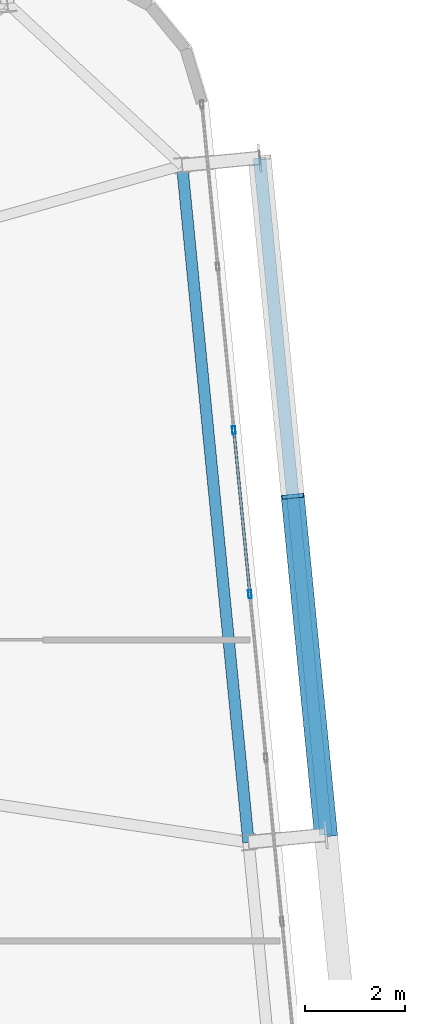
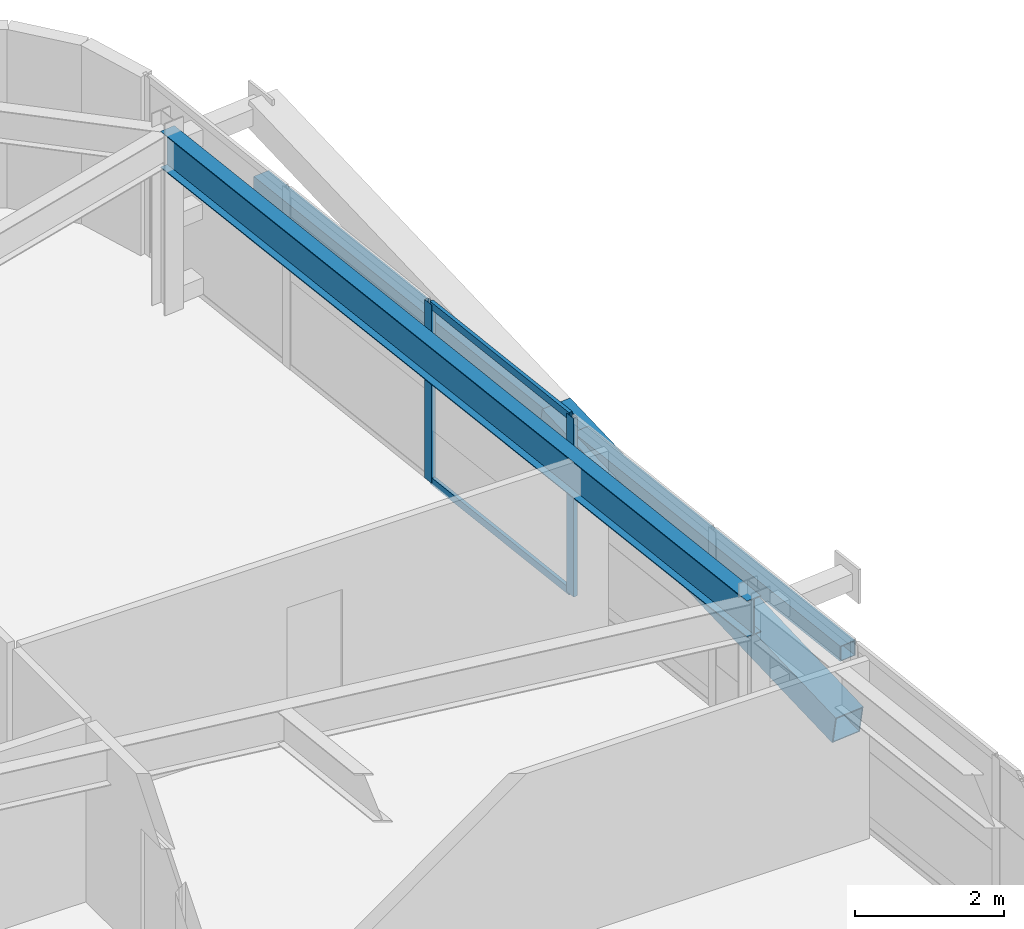
# One storey, part 26 of 51: 6 members, 1 beam, 1 element without a shape of its own.
"""IFC4 building model written with IfcOpenShell, lengths in metres."""

from ifc_helpers import new_model, si_unit, direction, frame, origin, origin_2d, place, context, subcontext, project, spatial, hollow_rectangle, i_section, extrude, source, transform, mapped, material, layer, layer_set, material_profile, profile_set, type_object, element, aggregate, save


model = new_model("IFC4")

# Units and contexts
model_context = context("Model", 3, precision=1e-05, world=origin(), true_north=direction((0.0, 1.0)))
body_context = subcontext(model_context, "Body", "Model", "MODEL_VIEW")
ifc_project = project(units=[si_unit("LENGTHUNIT", "METRE"), si_unit("AREAUNIT", "SQUARE_METRE"), si_unit("VOLUMEUNIT", "CUBIC_METRE"), si_unit("PLANEANGLEUNIT", "RADIAN"), si_unit("MASSUNIT", "GRAM", prefix="KILO")], contexts=[model_context])

# Site, building, storey
site_placement = place(None, origin())
site = spatial("IfcSite", under=ifc_project, at=site_placement, CompositionType="ELEMENT")
building_placement = place(site_placement, origin())
building = spatial("IfcBuilding", under=site, at=building_placement, Name="Taldren Reach Tower", CompositionType="ELEMENT")
storey_placement = place(building_placement, frame((0.0, 0.0, 65.10009765625)))
storey = spatial("IfcBuildingStorey", under=building, at=storey_placement, Name="L19", CompositionType="ELEMENT", Elevation=65.10009765625)

# Beam
ifc_material_1 = material(Name="Steel Gr 350 (350PLUS)", Category="steel")
ifc_material_profile_1 = material_profile(ifc_material_1, i_section(OverallWidth=0.22802734375, OverallDepth=0.60205078125, WebThickness=0.010498046875, FlangeThickness=0.014892578125, at=origin_2d()), Name="610UB101")
ifc_profile_set_1 = profile_set([ifc_material_profile_1], Name="Steel Gr 350 (350PLUS)")
beam_type = type_object("IfcBeamType", Name="BM-UB610B", PredefinedType="BEAM", material=ifc_profile_set_1)
shared_shape_1 = source(origin(), body_context, "Body", "SweptSolid", [
    extrude(i_section(OverallWidth=0.22802734375, OverallDepth=0.60205078125, WebThickness=0.010498046875, FlangeThickness=0.014892578125, at=origin_2d()), origin(), (0.0, 0.0, 1.0), 13.550048828125),
])
beam_placement = place(storey_placement, frame((64.569580078125, 21.968994140625, 2.62890625), z_axis=(-0.097584021339, 0.995227290009, 0.0), x_axis=(-0.995227290009, -0.097584021339, 0.0)))
element("IfcBeam", 1, at=beam_placement, inside=storey, type_object=beam_type, Name="Perimeter gable girder B2 E2-E3 L19", PredefinedType="BEAM", context=body_context, shape_type="MappedRepresentation", body=[
    mapped(shared_shape_1, transform((0.0, 0.0, 0.0), scale=1.0)),
])

# Members
ifc_material_2 = material(Name="Steel Gr 450 (C450L0)", Category="steel")
ifc_material_profile_2 = material_profile(ifc_material_2, hollow_rectangle(XDim=0.4599609375, YDim=0.4599609375, WallThickness=0.01611328125, at=origin_2d()), Name="460x460x16.0SHS")
ifc_profile_set_2 = profile_set([ifc_material_profile_2], Name="Steel Gr 450 (C450L0)")
member_type_1 = type_object("IfcMemberType", Name="MB-EXO457", PredefinedType="BRACE", material=ifc_profile_set_2)
shared_shape_2 = source(origin(), body_context, "Body", "SweptSolid", [
    extrude(hollow_rectangle(XDim=0.4599609375, YDim=0.4599609375, WallThickness=0.01611328125, at=origin_2d()), origin(), (0.0, 0.0, 1.0), 6.883056640625),
])
member_1_placement = place(storey_placement, frame((66.112060546875, 22.1201171875, 0.219970703125), z_axis=(-0.096052059581, 0.979603316657, 0.176497432967), x_axis=(-0.995227290009, -0.097584021339, 0.0)))
element("IfcMember", 2, at=member_1_placement, inside=storey, type_object=member_type_1, Name="Exoskeleton Diagrid Brace B2-E2 L19", PredefinedType="BRACE", context=body_context, shape_type="MappedRepresentation", body=[
    mapped(shared_shape_2, transform((0.0, 0.0, 0.0), scale=1.0)),
])
ifc_material_3 = material(Name="Steel Gr 350 (C350L0)", Category="steel")
ifc_material_profile_3 = material_profile(ifc_material_3, hollow_rectangle(XDim=0.25, YDim=0.25, WallThickness=0.010009765625, at=origin_2d()), Name="250x250x10.0SHS")
ifc_profile_set_3 = profile_set([ifc_material_profile_3], Name="Steel Gr 350 (C350L0)")
member_type_2 = type_object("IfcMemberType", Name="MB-POST250", PredefinedType="POST", material=ifc_profile_set_3)
shared_shape_3 = source(origin(), body_context, "Body", "SweptSolid", [
    extrude(hollow_rectangle(XDim=0.25, YDim=0.25, WallThickness=0.010009765625, at=origin_2d()), origin(), (0.0, 0.0, 1.0), 13.550048828125),
])
member_2_placement = place(storey_placement, frame((66.112060546875, 22.1201171875, 1.434814453125), z_axis=(-0.097584021339, 0.995227290009, 0.0), x_axis=(-0.995227290009, -0.097584021339, 0.0)))
element("IfcMember", 3, at=member_2_placement, inside=storey, type_object=member_type_2, Name="Exoskeleton mid-height ring chord B2-E2 L19", PredefinedType="POST", context=body_context, shape_type="MappedRepresentation", body=[
    mapped(shared_shape_3, transform((0.0, 0.0, 0.0), scale=1.0)),
])

# Curtain wall, members
ifc_material_4 = material(Name="Aluminium and Low-E Glass Unitised System", Category="aluminium")
ifc_layer = layer(ifc_material_4, 0.159912109375)
ifc_layer_set = layer_set([ifc_layer], Name="Aluminium and Low-E Glass Unitised System")
curtain_wall_type = type_object("IfcCurtainWallType", Name="CW-SYS-3", PredefinedType="NOTDEFINED", material=ifc_layer_set)
curtain_wall_placement = place(storey_placement, origin())
curtain_wall = element("IfcCurtainWall", 4, at=curtain_wall_placement, inside=storey, type_object=curtain_wall_type, Name="Unitised curtain wall CW-L19-E", PredefinedType="NOTDEFINED")
ifc_material_5 = material(Name="Anodised Aluminium 6063-T6", Category="aluminium")
ifc_material_profile_4 = material_profile(ifc_material_5, hollow_rectangle(XDim=0.06494140625, YDim=0.1650390625, WallThickness=0.00390625, at=origin_2d()), Name="ALU-165x65x4RHS")
ifc_profile_set_4 = profile_set([ifc_material_profile_4], Name="Anodised Aluminium 6063-T6")
member_type_3 = type_object("IfcMemberType", Name="CW-MUL-165", PredefinedType="MULLION", material=ifc_profile_set_4)
shared_shape_4 = source(origin(), body_context, "Body", "SweptSolid", [
    extrude(hollow_rectangle(XDim=0.06494140625, YDim=0.1650390625, WallThickness=0.00390625, at=origin_2d()), origin(), (0.0, 0.0, 1.0), 2.929931640625),
])
member_3_placement = place(storey_placement, frame((64.59716796875, 26.911865234375, 0.0), z_axis=(0.0, 0.0, 1.0), x_axis=(-0.99522741555, -0.09758274098, 0.0)))
member_3 = element("IfcMember", 5, at=member_3_placement, type_object=member_type_3, Name="CW-3 mullion 7", PredefinedType="MULLION", context=body_context, shape_type="MappedRepresentation", body=[
    mapped(shared_shape_4, transform((0.0, 0.0, 0.0), scale=1.0)),
])
member_4_placement = place(storey_placement, frame((64.27734375, 30.174072265625, 0.0), z_axis=(0.0, 0.0, 1.0), x_axis=(-0.99522741555, -0.09758274098, 0.0)))
member_4 = element("IfcMember", 6, at=member_4_placement, type_object=member_type_3, Name="CW-3 mullion 8", PredefinedType="MULLION", context=body_context, shape_type="MappedRepresentation", body=[
    mapped(shared_shape_4, transform((0.0, 0.0, 0.0), scale=1.0)),
])
ifc_material_profile_5 = material_profile(ifc_material_5, hollow_rectangle(XDim=0.054931640625, YDim=0.1201171875, WallThickness=0.0029296875, at=origin_2d()), Name="ALU-120x55x3RHS")
ifc_profile_set_5 = profile_set([ifc_material_profile_5], Name="Anodised Aluminium 6063-T6")
member_type_4 = type_object("IfcMemberType", Name="CW-TRN-135", PredefinedType="USERDEFINED", material=ifc_profile_set_5)
shared_shape_5 = source(origin(), body_context, "Body", "SweptSolid", [
    extrude(hollow_rectangle(XDim=0.054931640625, YDim=0.1201171875, WallThickness=0.0029296875, at=origin_2d()), origin(), (0.0, 0.0, 1.0), 3.212890625),
])
member_5_placement = place(storey_placement, frame((64.593994140625, 26.944091796875, 0.02734375), z_axis=(-0.097569948235, 0.995228669805, 0.0), x_axis=(-0.995228669805, -0.097569948235, 0.0)))
member_5 = element("IfcMember", 7, at=member_5_placement, type_object=member_type_4, Name="CW-3 transom 7.1", ObjectType="TRANSOM", PredefinedType="USERDEFINED", context=body_context, shape_type="MappedRepresentation", body=[
    mapped(shared_shape_5, transform((0.0, 0.0, 0.0), scale=1.0)),
])
member_6_placement = place(storey_placement, frame((64.593994140625, 26.944091796875, 2.90234375), z_axis=(-0.097569948235, 0.995228669805, 0.0), x_axis=(-0.995228669805, -0.097569948235, 0.0)))
member_6 = element("IfcMember", 8, at=member_6_placement, type_object=member_type_4, Name="CW-3 transom 7.2", ObjectType="TRANSOM", PredefinedType="USERDEFINED", context=body_context, shape_type="MappedRepresentation", body=[
    mapped(shared_shape_5, transform((0.0, 0.0, 0.0), scale=1.0)),
])
aggregate(curtain_wall, [member_3, member_4, member_5, member_6])

save(model, "model.ifc")
